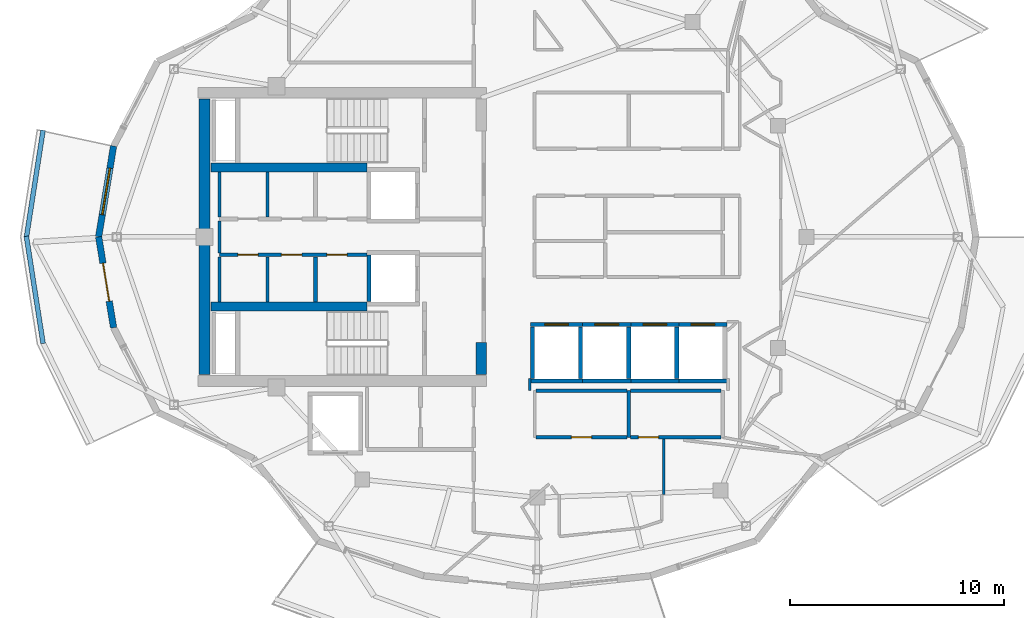
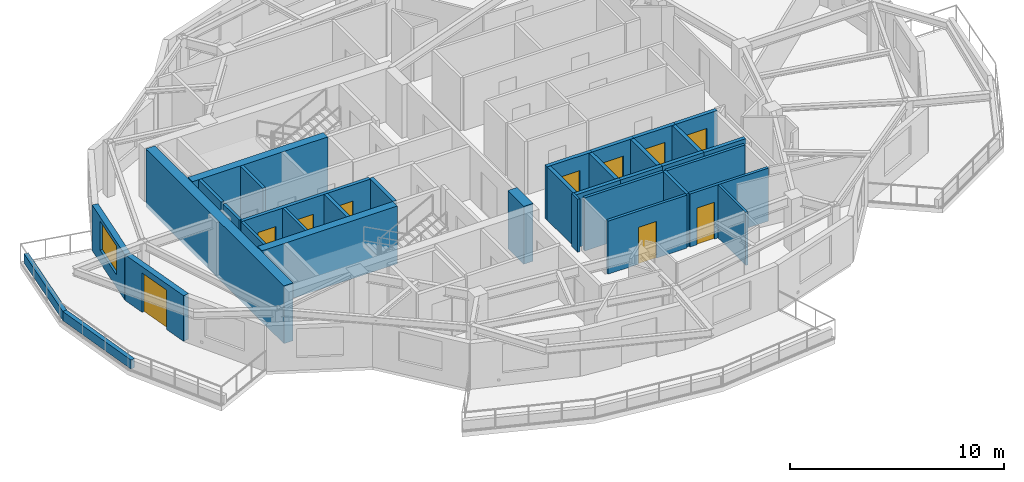
# One storey, part 4 of 11: 35 walls, 10 doors, 1 window, 11 openings.
"""IFC4 building model written with IfcOpenShell, lengths in metres."""

from ifc_helpers import new_model, si_unit, direction, frame, frame_2d, origin, place, context, subcontext, project, spatial, rectangle, extrude, material, layer, layer_set, type_object, element, fill, save


model = new_model("IFC4")

# Units and contexts
model_context = context("Model", 3, precision=1e-05, world=origin(), true_north=direction((0.0, 1.0)))
body_context = subcontext(model_context, "Body", "Model", "MODEL_VIEW")
ifc_project = project(units=[si_unit("LENGTHUNIT", "METRE"), si_unit("AREAUNIT", "SQUARE_METRE"), si_unit("VOLUMEUNIT", "CUBIC_METRE"), si_unit("PLANEANGLEUNIT", "RADIAN"), si_unit("MASSUNIT", "GRAM", prefix="KILO")], contexts=[model_context])

# Site, building, storey
site_placement = place(None, origin())
site = spatial("IfcSite", under=ifc_project, at=site_placement, CompositionType="ELEMENT")
building_placement = place(site_placement, origin())
building = spatial("IfcBuilding", under=site, at=building_placement, Name="Kolvaren Gate Tower and Convention Centre", CompositionType="ELEMENT")
storey_placement = place(building_placement, frame((0.0, 0.0, 262.39990234375)))
storey = spatial("IfcBuildingStorey", under=building, at=storey_placement, Name="L71", CompositionType="ELEMENT", Elevation=262.39990234375)

# Wall, openings, doors
ifc_material_1 = material(Name="Autoclaved Aerated Masonry Blockwork Class 4 (4.0 MPa)", Category="masonry")
ifc_layer_1 = layer(ifc_material_1, 0.179931640625)
ifc_layer_set_1 = layer_set([ifc_layer_1], Name="Autoclaved Aerated Masonry Blockwork Class 4 (4.0 MPa)")
wall_type_1 = type_object("IfcWallType", Name="ARCH-WL-COMP-180", PredefinedType="SOLIDWALL", material=ifc_layer_set_1)
wall_1_placement = place(storey_placement, frame((15.25, 26.159912109375, 0.0), z_axis=(0.0, 0.0, 1.0), x_axis=(1.0, 0.0, 0.0)))
wall_1 = element("IfcWall", 1, at=wall_1_placement, inside=storey, type_object=wall_type_1, Name="Interior Partition WL-L71-INT-005", PredefinedType="SOLIDWALL", context=body_context, shape_type="SweptSolid", body=[
    extrude(rectangle(XDim=6.89990234375, YDim=0.179931640625, at=frame_2d((3.449951171875, 0.0))), origin(), (0.0, 0.0, 1.0), 3.030029296875),
])
opening_1_placement = place(wall_1_placement, frame((5.02001953125, 0.0, 0.0)))
opening_1 = element("IfcOpeningElement", 2, at=opening_1_placement, cuts=wall_1, Name="Opening DR-01", PredefinedType="OPENING", context=body_context, shape_type="SweptSolid", body=[
    extrude(rectangle(XDim=0.949951171875, YDim=2.10009765625, at=frame_2d((0.47509765625, 1.050048828125))), frame((0.0, 0.099853515625, 0.0), z_axis=(0.0, -1.0, 0.0), x_axis=(1.0, 0.0, 0.0)), (0.0, 0.0, 1.0), 0.199951171875),
])
opening_2_placement = place(wall_1_placement, frame((0.85498046875, 0.0, 0.0)))
opening_2 = element("IfcOpeningElement", 3, at=opening_2_placement, cuts=wall_1, Name="Opening DR-01", PredefinedType="OPENING", context=body_context, shape_type="SweptSolid", body=[
    extrude(rectangle(XDim=0.949951171875, YDim=2.10009765625, at=frame_2d((0.47509765625, 1.050048828125))), frame((0.0, 0.099853515625, 0.0), z_axis=(0.0, -1.0, 0.0), x_axis=(1.0, 0.0, 0.0)), (0.0, 0.0, 1.0), 0.199951171875),
])
opening_3_placement = place(wall_1_placement, frame((2.89990234375, 0.0, 0.0)))
opening_3 = element("IfcOpeningElement", 4, at=opening_3_placement, cuts=wall_1, Name="Opening DR-01", PredefinedType="OPENING", context=body_context, shape_type="SweptSolid", body=[
    extrude(rectangle(XDim=0.949951171875, YDim=2.10009765625, at=frame_2d((0.47509765625, 1.050048828125))), frame((0.0, 0.099853515625, 0.0), z_axis=(0.0, -1.0, 0.0), x_axis=(1.0, 0.0, 0.0)), (0.0, 0.0, 1.0), 0.199951171875),
])
ifc_material_2 = material(Name="Painted Architectural Steelwork ASTM A500 Grade C 345 MPa", Category="steel")
door_type_1 = type_object("IfcDoorType", Name="ARCH-DR-RISER-950", OperationType="SINGLE_SWING_RIGHT", PredefinedType="DOOR", material=ifc_material_2)
door_1_placement = place(opening_1_placement, origin())
door_1 = element("IfcDoor", 5, at=door_1_placement, inside=storey, type_object=door_type_1, Name="Domestic Water Meter Closet Door", OperationType="SINGLE_SWING_RIGHT", OverallHeight=2.10009765625, OverallWidth=0.949951171875, PredefinedType="DOOR", context=body_context, shape_type="SweptSolid", body=[
    extrude(rectangle(XDim=0.949951171875, YDim=2.10009765625, at=frame_2d((0.47509765625, 1.050048828125))), frame((0.0, 0.02490234375, 0.0), z_axis=(0.0, -1.0, 0.0), x_axis=(1.0, 0.0, 0.0)), (0.0, 0.0, 1.0), 0.050048828125),
])
fill(opening_1, door_1)
door_2_placement = place(opening_2_placement, origin())
door_2 = element("IfcDoor", 6, at=door_2_placement, inside=storey, type_object=door_type_1, Name="Beverage Service Pantry Door", OperationType="SINGLE_SWING_LEFT", OverallHeight=2.10009765625, OverallWidth=0.949951171875, PredefinedType="DOOR", context=body_context, shape_type="SweptSolid", body=[
    extrude(rectangle(XDim=0.949951171875, YDim=2.10009765625, at=frame_2d((0.47509765625, 1.050048828125))), frame((0.0, 0.02490234375, 0.0), z_axis=(0.0, -1.0, 0.0), x_axis=(1.0, 0.0, 0.0)), (0.0, 0.0, 1.0), 0.050048828125),
])
fill(opening_2, door_2)
door_3_placement = place(opening_3_placement, origin())
door_3 = element("IfcDoor", 7, at=door_3_placement, inside=storey, type_object=door_type_1, Name="Archive Supply Closet Door", OperationType="SINGLE_SWING_RIGHT", OverallHeight=2.10009765625, OverallWidth=0.949951171875, PredefinedType="DOOR", context=body_context, shape_type="SweptSolid", body=[
    extrude(rectangle(XDim=0.949951171875, YDim=2.10009765625, at=frame_2d((0.47509765625, 1.050048828125))), frame((0.0, 0.02490234375, 0.0), z_axis=(0.0, -1.0, 0.0), x_axis=(1.0, 0.0, 0.0)), (0.0, 0.0, 1.0), 0.050048828125),
])
fill(opening_3, door_3)

# Walls
wall_2_placement = place(storey_placement, frame((19.75, 23.9619140625, 0.0), z_axis=(0.0, 0.0, 1.0), x_axis=(0.0, 1.0, 0.0)))
element("IfcWall", 8, at=wall_2_placement, inside=storey, type_object=wall_type_1, Name="Interior Partition WL-L71-INT-007", PredefinedType="SOLIDWALL", context=body_context, shape_type="SweptSolid", body=[
    extrude(rectangle(XDim=2.106201171875, YDim=0.179931640625, at=frame_2d((1.05322265625, 0.0))), origin(), (0.0, 0.0, 1.0), 3.030029296875),
])
ifc_material_3 = material(Name="Fire-Rated Acoustic Gypsum Stud Partition", Category="gypsum")
ifc_layer_2 = layer(ifc_material_3, 0.1201171875)
ifc_layer_set_2 = layer_set([ifc_layer_2], Name="Fire-Rated Acoustic Gypsum Stud Partition")
wall_type_2 = type_object("IfcWallType", Name="ARCH-WL-PART-120", PredefinedType="PARTITIONING", material=ifc_layer_set_2)
wall_3_placement = place(storey_placement, frame((29.780029296875, 19.800048828125, 0.0), z_axis=(0.0, 0.0, 1.0), x_axis=(0.0, 1.0, 0.0)))
element("IfcWall", 9, at=wall_3_placement, inside=storey, type_object=wall_type_2, Name="Interior Partition WL-L71-INT-063", PredefinedType="PARTITIONING", context=body_context, shape_type="SweptSolid", body=[
    extrude(rectangle(XDim=0.56005859375, YDim=0.1201171875, at=frame_2d((0.280029296875, 0.0))), origin(), (0.0, 0.0, 1.0), 3.030029296875),
])
wall_4_placement = place(storey_placement, frame((36.050048828125, 14.949951171875, 0.0), z_axis=(0.0, 0.0, 1.0), x_axis=(0.0, 1.0, 0.0)))
element("IfcWall", 10, at=wall_4_placement, inside=storey, type_object=wall_type_2, Name="Interior Partition WL-L71-INT-064", PredefinedType="PARTITIONING", context=body_context, shape_type="SweptSolid", body=[
    extrude(rectangle(XDim=2.593017578125, YDim=0.1201171875, at=frame_2d((1.29638671875, 0.0))), origin(), (0.0, 0.0, 1.0), 3.030029296875),
])
ifc_material_4 = material(Name="Piedmont Cream Honed Limestone Cladding", Category="masonry")
ifc_layer_3 = layer(ifc_material_4, 0.219970703125)
ifc_layer_set_3 = layer_set([ifc_layer_3], Name="Piedmont Cream Honed Limestone Cladding")
wall_type_3 = type_object("IfcWallType", Name="ARCH-WL-PLANTER-220", PredefinedType="PARAPET", material=ifc_layer_set_3)
for number, where, z_axis, x_axis, name in (
    (11, (6.21240234375, 26.970703125, 0.0), (0.0, 0.0, 1.0), (0.15374038442, 0.988111276223, 0.0), "Vertical-Forest Balcony Stone Planter Kerb PK-L71-2.1"),
    (12, (6.21240234375, 27.029296875, 0.0), (0.0, 0.0, 1.0), (0.15374038442, -0.988111276223, 0.0), "Vertical-Forest Balcony Stone Planter Kerb PK-L71-2.2"),
):
    element("IfcWall", number, at=place(storey_placement, frame(where, z_axis=z_axis, x_axis=x_axis)), inside=storey, type_object=wall_type_3, Name=name, PredefinedType="PARAPET", context=body_context, shape_type="SweptSolid", body=[
        extrude(rectangle(XDim=5.078369140625, YDim=0.219970703125, at=frame_2d((2.5390625, 0.0))), origin(), (0.0, 0.0, 1.0), 0.52001953125),
    ])
ifc_layer_4 = layer(ifc_material_1, 0.199951171875)
ifc_layer_set_4 = layer_set([ifc_layer_4], Name="Autoclaved Aerated Masonry Blockwork Class 4 (4.0 MPa)")
wall_type_4 = type_object("IfcWallType", Name="ARCH-WL-SHAFT-200", PredefinedType="SOLIDWALL", material=ifc_layer_set_4)
wall_5_placement = place(storey_placement, frame((22.25, 23.969970703125, 0.0), z_axis=(0.0, 0.0, 1.0), x_axis=(0.0, 1.0, 0.0)))
element("IfcWall", 13, at=wall_5_placement, inside=storey, type_object=wall_type_4, Name="Elevator FF-02 L71 Fire Shaft Wall W", PredefinedType="SOLIDWALL", context=body_context, shape_type="SweptSolid", body=[
    extrude(rectangle(XDim=2.179931640625, YDim=0.199951171875, at=frame_2d((1.08984375, 0.0))), origin(), (0.0, 0.0, 1.0), 3.030029296875),
])

# Wall, opening, door
wall_6_placement = place(storey_placement, frame((29.800048828125, 22.89990234375, 0.0), z_axis=(0.0, 0.0, 1.0), x_axis=(1.0, 0.0, 0.0)))
wall_6 = element("IfcWall", 14, at=wall_6_placement, inside=storey, type_object=wall_type_4, Name="Elevator PL-09 L71 Fire Shaft Wall N", PredefinedType="SOLIDWALL", context=body_context, shape_type="SweptSolid", body=[
    extrude(rectangle(XDim=2.449951171875, YDim=0.199951171875, at=frame_2d((1.22509765625, 0.0))), origin(), (0.0, 0.0, 1.0), 3.030029296875),
])
opening_4_placement = place(wall_6_placement, frame((0.675048828125, 0.0, 0.0)))
opening_4 = element("IfcOpeningElement", 15, at=opening_4_placement, cuts=wall_6, Name="Opening LD", PredefinedType="OPENING", context=body_context, shape_type="SweptSolid", body=[
    extrude(rectangle(XDim=1.10009765625, YDim=2.199951171875, at=frame_2d((0.550048828125, 1.10009765625))), frame((0.0, 0.10986328125, 0.0), z_axis=(0.0, -1.0, 0.0), x_axis=(1.0, 0.0, 0.0)), (0.0, 0.0, 1.0), 0.219970703125),
])
ifc_material_5 = material(Name="Brushed Stainless Steel Grade 316L", Category="steel")
door_type_2 = type_object("IfcDoorType", Name="ARCH-DR-LIFT-1100", OperationType="SLIDING_TO_LEFT", PredefinedType="DOOR", material=ifc_material_5)
door_4_placement = place(opening_4_placement, origin())
door_4 = element("IfcDoor", 16, at=door_4_placement, inside=storey, type_object=door_type_2, Name="Elevator PL-09 L71 Sliding Landing Door", OperationType="SLIDING_TO_LEFT", OverallHeight=2.199951171875, OverallWidth=1.10009765625, PredefinedType="DOOR", context=body_context, shape_type="SweptSolid", body=[
    extrude(rectangle(XDim=1.10009765625, YDim=2.199951171875, at=frame_2d((0.550048828125, 1.10009765625))), frame((0.0, 0.02490234375, 0.0), z_axis=(0.0, -1.0, 0.0), x_axis=(1.0, 0.0, 0.0)), (0.0, 0.0, 1.0), 0.050048828125),
])
fill(opening_4, door_4)

# Walls
wall_7_placement = place(storey_placement, frame((29.800048828125, 20.25, 0.0), z_axis=(0.0, 0.0, 1.0), x_axis=(1.0, 0.0, 0.0)))
element("IfcWall", 17, at=wall_7_placement, inside=storey, type_object=wall_type_4, Name="Elevator PL-09 L71 Fire Shaft Wall S", PredefinedType="SOLIDWALL", context=body_context, shape_type="SweptSolid", body=[
    extrude(rectangle(XDim=2.449951171875, YDim=0.199951171875, at=frame_2d((1.22509765625, 0.0))), origin(), (0.0, 0.0, 1.0), 3.030029296875),
])
for number, where, z_axis, x_axis, name in (
    (18, (29.89990234375, 20.360107421875, 0.0), (0.0, 0.0, 1.0), (0.0, 1.0, 0.0), "Elevator PL-09 L71 Fire Shaft Wall W"),
    (19, (32.14990234375, 20.360107421875, 0.0), (0.0, 0.0, 1.0), (0.0, 1.0, 0.0), "Elevator PL-09 L71 Fire Shaft Wall E"),
):
    element("IfcWall", number, at=place(storey_placement, frame(where, z_axis=z_axis, x_axis=x_axis)), inside=storey, type_object=wall_type_4, Name=name, PredefinedType="SOLIDWALL", context=body_context, shape_type="SweptSolid", body=[
        extrude(rectangle(XDim=2.429931640625, YDim=0.199951171875, at=frame_2d((1.21484375, 0.0))), origin(), (0.0, 0.0, 1.0), 3.030029296875),
    ])

# Wall, opening, door
wall_8_placement = place(storey_placement, frame((32.25, 22.89990234375, 0.0), z_axis=(0.0, 0.0, 1.0), x_axis=(1.0, 0.0, 0.0)))
wall_8 = element("IfcWall", 20, at=wall_8_placement, inside=storey, type_object=wall_type_4, Name="Elevator PL-10 L71 Fire Shaft Wall N", PredefinedType="SOLIDWALL", context=body_context, shape_type="SweptSolid", body=[
    extrude(rectangle(XDim=2.25, YDim=0.199951171875, at=frame_2d((1.125, 0.0))), origin(), (0.0, 0.0, 1.0), 3.030029296875),
])
opening_5_placement = place(wall_8_placement, frame((0.574951171875, 0.0, 0.0)))
opening_5 = element("IfcOpeningElement", 21, at=opening_5_placement, cuts=wall_8, Name="Opening LD", PredefinedType="OPENING", context=body_context, shape_type="SweptSolid", body=[
    extrude(rectangle(XDim=1.10009765625, YDim=2.199951171875, at=frame_2d((0.550048828125, 1.10009765625))), frame((0.0, 0.10986328125, 0.0), z_axis=(0.0, -1.0, 0.0), x_axis=(1.0, 0.0, 0.0)), (0.0, 0.0, 1.0), 0.219970703125),
])
door_5_placement = place(opening_5_placement, origin())
door_5 = element("IfcDoor", 22, at=door_5_placement, inside=storey, type_object=door_type_2, Name="Elevator PL-10 L71 Sliding Landing Door", OperationType="SLIDING_TO_LEFT", OverallHeight=2.199951171875, OverallWidth=1.10009765625, PredefinedType="DOOR", context=body_context, shape_type="SweptSolid", body=[
    extrude(rectangle(XDim=1.10009765625, YDim=2.199951171875, at=frame_2d((0.550048828125, 1.10009765625))), frame((0.0, 0.02490234375, 0.0), z_axis=(0.0, -1.0, 0.0), x_axis=(1.0, 0.0, 0.0)), (0.0, 0.0, 1.0), 0.050048828125),
])
fill(opening_5, door_5)

# Walls
wall_9_placement = place(storey_placement, frame((32.25, 20.25, 0.0), z_axis=(0.0, 0.0, 1.0), x_axis=(1.0, 0.0, 0.0)))
element("IfcWall", 23, at=wall_9_placement, inside=storey, type_object=wall_type_4, Name="Elevator PL-10 L71 Fire Shaft Wall S", PredefinedType="SOLIDWALL", context=body_context, shape_type="SweptSolid", body=[
    extrude(rectangle(XDim=2.25, YDim=0.199951171875, at=frame_2d((1.125, 0.0))), origin(), (0.0, 0.0, 1.0), 3.030029296875),
])
wall_10_placement = place(storey_placement, frame((34.39990234375, 20.360107421875, 0.0), z_axis=(0.0, 0.0, 1.0), x_axis=(0.0, 1.0, 0.0)))
element("IfcWall", 24, at=wall_10_placement, inside=storey, type_object=wall_type_4, Name="Elevator PL-10 L71 Fire Shaft Wall E", PredefinedType="SOLIDWALL", context=body_context, shape_type="SweptSolid", body=[
    extrude(rectangle(XDim=2.429931640625, YDim=0.199951171875, at=frame_2d((1.21484375, 0.0))), origin(), (0.0, 0.0, 1.0), 3.030029296875),
])

# Wall, opening, door
wall_11_placement = place(storey_placement, frame((34.5, 22.89990234375, 0.0), z_axis=(0.0, 0.0, 1.0), x_axis=(1.0, 0.0, 0.0)))
wall_11 = element("IfcWall", 25, at=wall_11_placement, inside=storey, type_object=wall_type_4, Name="Elevator PL-11 L71 Fire Shaft Wall N", PredefinedType="SOLIDWALL", context=body_context, shape_type="SweptSolid", body=[
    extrude(rectangle(XDim=2.25, YDim=0.199951171875, at=frame_2d((1.125, 0.0))), origin(), (0.0, 0.0, 1.0), 3.030029296875),
])
opening_6_placement = place(wall_11_placement, frame((0.574951171875, 0.0, 0.0)))
opening_6 = element("IfcOpeningElement", 26, at=opening_6_placement, cuts=wall_11, Name="Opening LD", PredefinedType="OPENING", context=body_context, shape_type="SweptSolid", body=[
    extrude(rectangle(XDim=1.10009765625, YDim=2.199951171875, at=frame_2d((0.550048828125, 1.10009765625))), frame((0.0, 0.10986328125, 0.0), z_axis=(0.0, -1.0, 0.0), x_axis=(1.0, 0.0, 0.0)), (0.0, 0.0, 1.0), 0.219970703125),
])
door_6_placement = place(opening_6_placement, origin())
door_6 = element("IfcDoor", 27, at=door_6_placement, inside=storey, type_object=door_type_2, Name="Elevator PL-11 L71 Sliding Landing Door", OperationType="SLIDING_TO_LEFT", OverallHeight=2.199951171875, OverallWidth=1.10009765625, PredefinedType="DOOR", context=body_context, shape_type="SweptSolid", body=[
    extrude(rectangle(XDim=1.10009765625, YDim=2.199951171875, at=frame_2d((0.550048828125, 1.10009765625))), frame((0.0, 0.02490234375, 0.0), z_axis=(0.0, -1.0, 0.0), x_axis=(1.0, 0.0, 0.0)), (0.0, 0.0, 1.0), 0.050048828125),
])
fill(opening_6, door_6)

# Walls
wall_12_placement = place(storey_placement, frame((34.5, 20.25, 0.0), z_axis=(0.0, 0.0, 1.0), x_axis=(1.0, 0.0, 0.0)))
element("IfcWall", 28, at=wall_12_placement, inside=storey, type_object=wall_type_4, Name="Elevator PL-11 L71 Fire Shaft Wall S", PredefinedType="SOLIDWALL", context=body_context, shape_type="SweptSolid", body=[
    extrude(rectangle(XDim=2.25, YDim=0.199951171875, at=frame_2d((1.125, 0.0))), origin(), (0.0, 0.0, 1.0), 3.030029296875),
])
wall_13_placement = place(storey_placement, frame((36.64990234375, 20.360107421875, 0.0), z_axis=(0.0, 0.0, 1.0), x_axis=(0.0, 1.0, 0.0)))
element("IfcWall", 29, at=wall_13_placement, inside=storey, type_object=wall_type_4, Name="Elevator PL-11 L71 Fire Shaft Wall E", PredefinedType="SOLIDWALL", context=body_context, shape_type="SweptSolid", body=[
    extrude(rectangle(XDim=2.429931640625, YDim=0.199951171875, at=frame_2d((1.21484375, 0.0))), origin(), (0.0, 0.0, 1.0), 3.030029296875),
])

# Wall, opening, door
wall_14_placement = place(storey_placement, frame((36.75, 22.89990234375, 0.0), z_axis=(0.0, 0.0, 1.0), x_axis=(1.0, 0.0, 0.0)))
wall_14 = element("IfcWall", 30, at=wall_14_placement, inside=storey, type_object=wall_type_4, Name="Elevator PL-12 L71 Fire Shaft Wall N", PredefinedType="SOLIDWALL", context=body_context, shape_type="SweptSolid", body=[
    extrude(rectangle(XDim=2.25, YDim=0.199951171875, at=frame_2d((1.125, 0.0))), origin(), (0.0, 0.0, 1.0), 3.030029296875),
])
opening_7_placement = place(wall_14_placement, frame((0.574951171875, 0.0, 0.0)))
opening_7 = element("IfcOpeningElement", 31, at=opening_7_placement, cuts=wall_14, Name="Opening LD", PredefinedType="OPENING", context=body_context, shape_type="SweptSolid", body=[
    extrude(rectangle(XDim=1.10009765625, YDim=2.199951171875, at=frame_2d((0.550048828125, 1.10009765625))), frame((0.0, 0.10986328125, 0.0), z_axis=(0.0, -1.0, 0.0), x_axis=(1.0, 0.0, 0.0)), (0.0, 0.0, 1.0), 0.219970703125),
])
door_7_placement = place(opening_7_placement, origin())
door_7 = element("IfcDoor", 32, at=door_7_placement, inside=storey, type_object=door_type_2, Name="Elevator PL-12 L71 Sliding Landing Door", OperationType="SLIDING_TO_LEFT", OverallHeight=2.199951171875, OverallWidth=1.10009765625, PredefinedType="DOOR", context=body_context, shape_type="SweptSolid", body=[
    extrude(rectangle(XDim=1.10009765625, YDim=2.199951171875, at=frame_2d((0.550048828125, 1.10009765625))), frame((0.0, 0.02490234375, 0.0), z_axis=(0.0, -1.0, 0.0), x_axis=(1.0, 0.0, 0.0)), (0.0, 0.0, 1.0), 0.050048828125),
])
fill(opening_7, door_7)

# Wall
wall_15_placement = place(storey_placement, frame((36.75, 20.25, 0.0), z_axis=(0.0, 0.0, 1.0), x_axis=(1.0, 0.0, 0.0)))
element("IfcWall", 33, at=wall_15_placement, inside=storey, type_object=wall_type_4, Name="Elevator PL-12 L71 Fire Shaft Wall S", PredefinedType="SOLIDWALL", context=body_context, shape_type="SweptSolid", body=[
    extrude(rectangle(XDim=2.25, YDim=0.199951171875, at=frame_2d((1.125, 0.0))), origin(), (0.0, 0.0, 1.0), 3.030029296875),
])

# Wall, opening, window
ifc_layer_5 = layer(ifc_material_4, 0.300048828125)
ifc_layer_set_5 = layer_set([ifc_layer_5], Name="Piedmont Cream Honed Limestone Cladding")
wall_type_5 = type_object("IfcWallType", Name="ARCH-WL-STONE-300", PredefinedType="SOLIDWALL", material=ifc_layer_set_5)
wall_16_placement = place(storey_placement, frame((9.59375, 27.0, 0.0), z_axis=(0.0, 0.0, 1.0), x_axis=(0.162404622434, 0.98672424649, 0.0)))
wall_16 = element("IfcWall", 34, at=wall_16_placement, inside=storey, type_object=wall_type_5, Name="Tower L71 Honed Stone Spandrel Wall EW-11", PredefinedType="SOLIDWALL", context=body_context, shape_type="SweptSolid", body=[
    extrude(rectangle(XDim=4.308349609375, YDim=0.300048828125, at=frame_2d((2.154296875, 0.0))), origin(), (0.0, 0.0, 1.0), 2.60498046875),
])
opening_8_placement = place(wall_16_placement, frame((1.053955078125, 0.0, 0.719970703125)))
opening_8 = element("IfcOpeningElement", 35, at=opening_8_placement, cuts=wall_16, Name="Opening W-03", PredefinedType="OPENING", context=body_context, shape_type="SweptSolid", body=[
    extrude(rectangle(XDim=2.199951171875, YDim=1.64990234375, at=frame_2d((1.10009765625, 0.824951171875))), frame((0.0, 0.159912109375, 0.0), z_axis=(0.0, -1.0, 0.0), x_axis=(1.0, 0.0, 0.0)), (0.0, 0.0, 1.0), 0.320068359375),
])
ifc_material_6 = material(Name="Low-E Triple Insulated Glazing Unit 44 mm", Category="glass")
window_type = type_object("IfcWindowType", Name="ARCH-WN-RES-2200", PartitioningType="SINGLE_PANEL", PredefinedType="WINDOW", material=ifc_material_6)
window_placement = place(opening_8_placement, origin())
window = element("IfcWindow", 36, at=window_placement, inside=storey, type_object=window_type, Name="Tower L71 Punched Stone Facade Window W-11", OverallHeight=1.64990234375, OverallWidth=2.199951171875, PartitioningType="SINGLE_PANEL", PredefinedType="WINDOW", context=body_context, shape_type="SweptSolid", body=[
    extrude(rectangle(XDim=2.199951171875, YDim=1.64990234375, at=frame_2d((1.10009765625, 0.824951171875))), frame((0.0, 0.030029296875, 0.0), z_axis=(0.0, -1.0, 0.0), x_axis=(1.0, 0.0, 0.0)), (0.0, 0.0, 1.0), 0.06005859375),
])
fill(opening_8, window)

# Wall, opening, door
wall_17_placement = place(storey_placement, frame((9.59375, 27.0, 0.0), z_axis=(0.0, 0.0, 1.0), x_axis=(0.162404622434, -0.98672424649, 0.0)))
wall_17 = element("IfcWall", 37, at=wall_17_placement, inside=storey, type_object=wall_type_5, Name="Tower L71 Honed Stone Spandrel Wall EW-12", PredefinedType="SOLIDWALL", context=body_context, shape_type="SweptSolid", body=[
    extrude(rectangle(XDim=4.308349609375, YDim=0.300048828125, at=frame_2d((2.154296875, 0.0))), origin(), (0.0, 0.0, 1.0), 2.60498046875),
])
opening_9_placement = place(wall_17_placement, frame((1.25390625, 0.0, 0.0)))
opening_9 = element("IfcOpeningElement", 38, at=opening_9_placement, cuts=wall_17, Name="Opening DB-01", PredefinedType="OPENING", context=body_context, shape_type="SweptSolid", body=[
    extrude(rectangle(XDim=1.800048828125, YDim=2.25, at=frame_2d((0.89990234375, 1.125))), frame((0.0, 0.159912109375, 0.0), z_axis=(0.0, -1.0, 0.0), x_axis=(1.0, 0.0, 0.0)), (0.0, 0.0, 1.0), 0.320068359375),
])
ifc_material_7 = material(Name="Anodized Architectural Aluminium Alloy 6063-T6", Category="aluminium")
door_type_3 = type_object("IfcDoorType", Name="ARCH-DR-BALC-1800", OperationType="SLIDING_TO_LEFT", PredefinedType="DOOR", material=ifc_material_7)
door_8_placement = place(opening_9_placement, frame((1.800048828125, 0.0, 0.0), z_axis=(0.0, 0.0, 1.0), x_axis=(-1.0, 0.0, 0.0)))
door_8 = element("IfcDoor", 39, at=door_8_placement, inside=storey, type_object=door_type_3, Name="Planted Sky Terrace Access Door DB-L71-12", OperationType="SLIDING_TO_LEFT", OverallHeight=2.25, OverallWidth=1.800048828125, PredefinedType="DOOR", context=body_context, shape_type="SweptSolid", body=[
    extrude(rectangle(XDim=1.800048828125, YDim=2.25, at=frame_2d((0.89990234375, 1.125))), frame((0.0, 0.02490234375, 0.0), z_axis=(0.0, -1.0, 0.0), x_axis=(1.0, 0.0, 0.0)), (0.0, 0.0, 1.0), 0.050048828125),
])
fill(opening_9, door_8)

# Walls
ifc_material_8 = material(Name="Moisture-Resistant Cement-Board Acoustic Partition", Category="gypsum")
ifc_layer_6 = layer(ifc_material_8, 0.14990234375)
ifc_layer_set_6 = layer_set([ifc_layer_6], Name="Moisture-Resistant Cement-Board Acoustic Partition")
wall_type_6 = type_object("IfcWallType", Name="ARCH-WL-WET-150", PredefinedType="PARTITIONING", material=ifc_layer_set_6)
wall_18_placement = place(storey_placement, frame((15.25, 23.9619140625, 0.0), z_axis=(0.0, 0.0, 1.0), x_axis=(0.0, 1.0, 0.0)))
element("IfcWall", 40, at=wall_18_placement, inside=storey, type_object=wall_type_6, Name="Interior Partition WL-L71-INT-006", PredefinedType="PARTITIONING", context=body_context, shape_type="SweptSolid", body=[
    extrude(rectangle(XDim=2.106201171875, YDim=0.14990234375, at=frame_2d((1.05322265625, 0.0))), origin(), (0.0, 0.0, 1.0), 3.030029296875),
])
wall_19_placement = place(storey_placement, frame((15.25, 26.251953125, 0.0), z_axis=(0.0, 0.0, 1.0), x_axis=(0.0, 1.0, 0.0)))
element("IfcWall", 41, at=wall_19_placement, inside=storey, type_object=wall_type_6, Name="Interior Partition WL-L71-INT-006 (2)", PredefinedType="PARTITIONING", context=body_context, shape_type="SweptSolid", body=[
    extrude(rectangle(XDim=1.49609375, YDim=0.14990234375, at=frame_2d((0.748046875, 0.0))), origin(), (0.0, 0.0, 1.0), 3.030029296875),
])
for number, where, z_axis, x_axis, name in (
    (42, (15.25, 27.931884765625, 0.0), (0.0, 0.0, 1.0), (0.0, 1.0, 0.0), "Interior Partition WL-L71-INT-006 (3)"),
    (43, (17.5, 23.9619140625, 0.0), (0.0, 0.0, 1.0), (0.0, 1.0, 0.0), "Interior Partition WL-L71-INT-009"),
    (44, (17.5, 27.931884765625, 0.0), (0.0, 0.0, 1.0), (0.0, 1.0, 0.0), "Interior Partition WL-L71-INT-010"),
):
    element("IfcWall", number, at=place(storey_placement, frame(where, z_axis=z_axis, x_axis=x_axis)), inside=storey, type_object=wall_type_6, Name=name, PredefinedType="PARTITIONING", context=body_context, shape_type="SweptSolid", body=[
        extrude(rectangle(XDim=2.106201171875, YDim=0.14990234375, at=frame_2d((1.05322265625, 0.0))), origin(), (0.0, 0.0, 1.0), 3.030029296875),
    ])
wall_20_placement = place(storey_placement, frame((34.39990234375, 17.6201171875, 0.0), z_axis=(0.0, 0.0, 1.0), x_axis=(0.0, 1.0, 0.0)))
element("IfcWall", 45, at=wall_20_placement, inside=storey, type_object=wall_type_6, Name="Interior Partition WL-L71-INT-030", PredefinedType="PARTITIONING", context=body_context, shape_type="SweptSolid", body=[
    extrude(rectangle(XDim=2.179931640625, YDim=0.14990234375, at=frame_2d((1.08984375, 0.0))), origin(), (0.0, 0.0, 1.0), 3.030029296875),
])

# Wall, opening, door
wall_21_placement = place(storey_placement, frame((30.06201171875, 17.6201171875, 0.0), z_axis=(0.0, 0.0, 1.0), x_axis=(1.0, 0.0, 0.0)))
wall_21 = element("IfcWall", 46, at=wall_21_placement, inside=storey, type_object=wall_type_6, Name="Interior Partition WL-L71-INT-032", PredefinedType="PARTITIONING", context=body_context, shape_type="SweptSolid", body=[
    extrude(rectangle(XDim=4.260986328125, YDim=0.14990234375, at=frame_2d((2.13037109375, 0.0))), origin(), (0.0, 0.0, 1.0), 3.030029296875),
])
opening_10_placement = place(wall_21_placement, frame((1.655517578125, 0.0, 0.0)))
opening_10 = element("IfcOpeningElement", 47, at=opening_10_placement, cuts=wall_21, Name="Opening DR-01", PredefinedType="OPENING", context=body_context, shape_type="SweptSolid", body=[
    extrude(rectangle(XDim=0.949951171875, YDim=2.10009765625, at=frame_2d((0.47509765625, 1.050048828125))), frame((0.0, 0.0849609375, 0.0), z_axis=(0.0, -1.0, 0.0), x_axis=(1.0, 0.0, 0.0)), (0.0, 0.0, 1.0), 0.169921875),
])
door_9_placement = place(opening_10_placement, origin())
door_9 = element("IfcDoor", 48, at=door_9_placement, inside=storey, type_object=door_type_1, Name="Resident Wine Pantry Door", OperationType="SINGLE_SWING_RIGHT", OverallHeight=2.10009765625, OverallWidth=0.949951171875, PredefinedType="DOOR", context=body_context, shape_type="SweptSolid", body=[
    extrude(rectangle(XDim=0.949951171875, YDim=2.10009765625, at=frame_2d((0.47509765625, 1.050048828125))), frame((0.0, 0.02490234375, 0.0), z_axis=(0.0, -1.0, 0.0), x_axis=(1.0, 0.0, 0.0)), (0.0, 0.0, 1.0), 0.050048828125),
])
fill(opening_10, door_9)

wall_22_placement = place(storey_placement, frame((34.47705078125, 17.6201171875, 0.0), z_axis=(0.0, 0.0, 1.0), x_axis=(1.0, 0.0, 0.0)))
wall_22 = element("IfcWall", 49, at=wall_22_placement, inside=storey, type_object=wall_type_6, Name="Interior Partition WL-L71-INT-032 (2)", PredefinedType="PARTITIONING", context=body_context, shape_type="SweptSolid", body=[
    extrude(rectangle(XDim=4.245849609375, YDim=0.14990234375, at=frame_2d((2.123046875, 0.0))), origin(), (0.0, 0.0, 1.0), 3.030029296875),
])
opening_11_placement = place(wall_22_placement, frame((0.37646484375, 0.0, 0.0)))
opening_11 = element("IfcOpeningElement", 50, at=opening_11_placement, cuts=wall_22, Name="Opening DR-01", PredefinedType="OPENING", context=body_context, shape_type="SweptSolid", body=[
    extrude(rectangle(XDim=0.949951171875, YDim=2.10009765625, at=frame_2d((0.47509765625, 1.050048828125))), frame((0.0, 0.0849609375, 0.0), z_axis=(0.0, -1.0, 0.0), x_axis=(1.0, 0.0, 0.0)), (0.0, 0.0, 1.0), 0.169921875),
])
door_10_placement = place(opening_11_placement, origin())
door_10 = element("IfcDoor", 51, at=door_10_placement, inside=storey, type_object=door_type_1, Name="Parcel Cold Store Door", OperationType="SINGLE_SWING_LEFT", OverallHeight=2.10009765625, OverallWidth=0.949951171875, PredefinedType="DOOR", context=body_context, shape_type="SweptSolid", body=[
    extrude(rectangle(XDim=0.949951171875, YDim=2.10009765625, at=frame_2d((0.47509765625, 1.050048828125))), frame((0.0, 0.02490234375, 0.0), z_axis=(0.0, -1.0, 0.0), x_axis=(1.0, 0.0, 0.0)), (0.0, 0.0, 1.0), 0.050048828125),
])
fill(opening_11, door_10)

# Walls
wall_23_placement = place(storey_placement, frame((30.06201171875, 19.800048828125, 0.0), z_axis=(0.0, 0.0, 1.0), x_axis=(1.0, 0.0, 0.0)))
element("IfcWall", 52, at=wall_23_placement, inside=storey, type_object=wall_type_6, Name="Interior Partition WL-L71-INT-033", PredefinedType="PARTITIONING", context=body_context, shape_type="SweptSolid", body=[
    extrude(rectangle(XDim=4.260986328125, YDim=0.14990234375, at=frame_2d((2.13037109375, 0.0))), origin(), (0.0, 0.0, 1.0), 3.030029296875),
])
wall_24_placement = place(storey_placement, frame((34.47705078125, 19.800048828125, 0.0), z_axis=(0.0, 0.0, 1.0), x_axis=(1.0, 0.0, 0.0)))
element("IfcWall", 53, at=wall_24_placement, inside=storey, type_object=wall_type_6, Name="Interior Partition WL-L71-INT-033 (2)", PredefinedType="PARTITIONING", context=body_context, shape_type="SweptSolid", body=[
    extrude(rectangle(XDim=4.245849609375, YDim=0.14990234375, at=frame_2d((2.123046875, 0.0))), origin(), (0.0, 0.0, 1.0), 3.030029296875),
])
ifc_material_9 = material(Name="Concrete C50/60", Category="concrete")
ifc_layer_7 = layer(ifc_material_9, 0.419921875)
ifc_layer_set_7 = layer_set([ifc_layer_7], Name="Concrete C50/60")
wall_type_7 = type_object("IfcWallType", Name="STR-WL-CONV-420", PredefinedType="SHEAR", material=ifc_layer_set_7)
for number, where, z_axis, x_axis, name in (
    (54, (14.85009765625, 30.25, -0.27001953125), (0.0, 0.0, 1.0), (1.0, 0.0, 0.0), "Tower L71 Offset Core Shear Wall WN"),
    (55, (14.85009765625, 23.75, -0.27001953125), (0.0, 0.0, 1.0), (1.0, 0.0, 0.0), "Tower L71 Offset Core Shear Wall WS"),
):
    element("IfcWall", number, at=place(storey_placement, frame(where, z_axis=z_axis, x_axis=x_axis)), inside=storey, type_object=wall_type_7, Name=name, PredefinedType="SHEAR", context=body_context, shape_type="SweptSolid", body=[
        extrude(rectangle(XDim=7.2998046875, YDim=0.419921875, at=frame_2d((3.64990234375, 0.0))), origin(), (0.0, 0.0, 1.0), 3.300048828125),
    ])
ifc_layer_8 = layer(ifc_material_9, 0.5)
ifc_layer_set_8 = layer_set([ifc_layer_8], Name="Concrete C50/60")
wall_type_8 = type_object("IfcWallType", Name="STR-WL-CORE-500", PredefinedType="SHEAR", material=ifc_layer_set_8)
wall_25_placement = place(storey_placement, frame((14.550048828125, 20.550048828125, -0.27001953125), z_axis=(0.0, 0.0, 1.0), x_axis=(0.0, 1.0, 0.0)))
element("IfcWall", 56, at=wall_25_placement, inside=storey, type_object=wall_type_8, Name="Tower L71 Offset Core Shear Wall W", PredefinedType="SHEAR", context=body_context, shape_type="SweptSolid", body=[
    extrude(rectangle(XDim=12.89990234375, YDim=0.5, at=frame_2d((6.449951171875, 0.0))), origin(), (0.0, 0.0, 1.0), 3.300048828125),
])
wall_26_placement = place(storey_placement, frame((27.5, 20.550048828125, -0.27001953125), z_axis=(0.0, 0.0, 1.0), x_axis=(0.0, 1.0, 0.0)))
element("IfcWall", 57, at=wall_26_placement, inside=storey, type_object=wall_type_8, Name="Tower L71 Offset Core Shear Wall ES", PredefinedType="SHEAR", context=body_context, shape_type="SweptSolid", body=[
    extrude(rectangle(XDim=1.5, YDim=0.5, at=frame_2d((0.75, 0.0))), origin(), (0.0, 0.0, 1.0), 3.300048828125),
])

save(model, "model.ifc")
